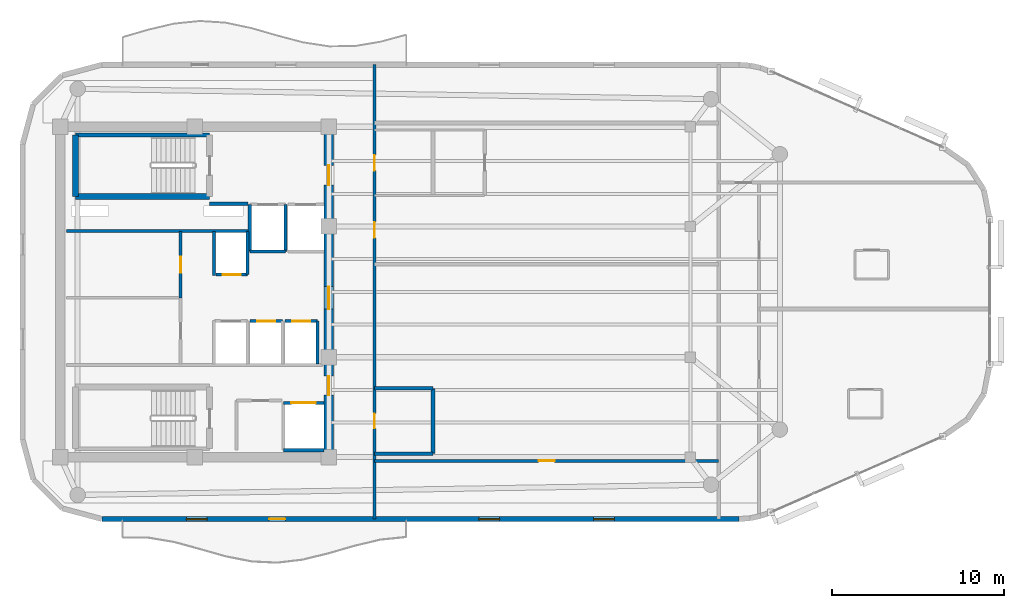
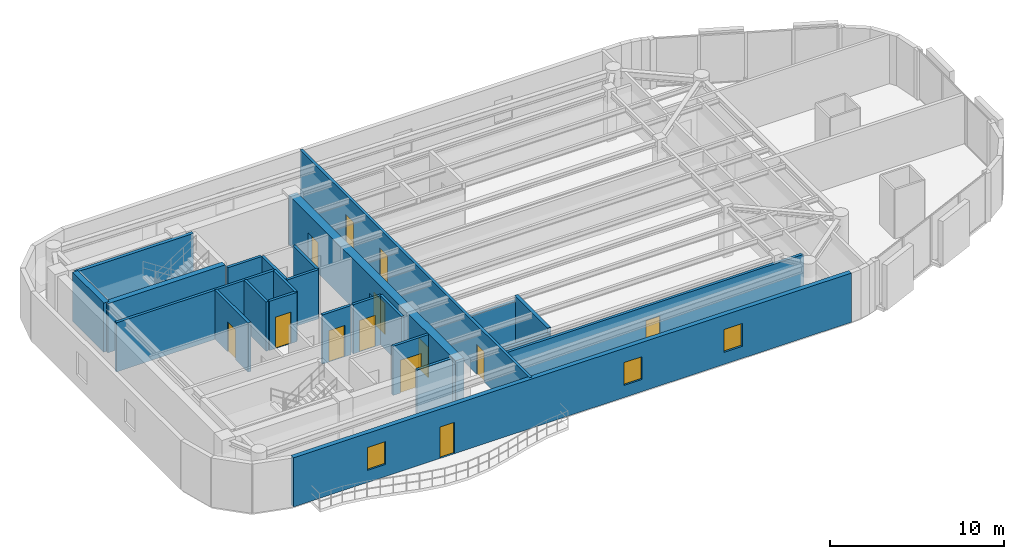
# One storey, part 8 of 12: 24 walls, 13 doors, 3 windows, 16 openings.
"""IFC4 building model written with IfcOpenShell, lengths in metres."""

import ifcopenshell
import ifcopenshell.guid

model = None  # the IFC model being written
_history = None  # IfcOwnerHistory: only IFC2X3 demands one
_inside = {}  # id of a spatial element -> (the spatial element, [elements in it])
_under = {}  # id of a project, library or spatial element -> (it, [spatial elements below it])
_declared = {}  # id of a project -> (the project, [libraries it declares])
_typed = {}  # id of a type object -> (the type object, [elements of that type])
_made_of = {}  # id of a material, layer set ... -> (it, [elements and type objects made of it])


def new_model(schema):
    """Start an empty IFC model of exactly this schema.

    Asked for "IFC4X3", IfcOpenShell would pick the latest addendum, in which some entities
    have other attributes; the version numbers below select the first issue.
    IFC2X3 requires an IfcOwnerHistory on every rooted entity: one is made here for all.
    """
    global model, _history
    if schema == "IFC4X3":
        model = ifcopenshell.file(schema_version=(4, 3, 0, 0))
    else:
        model = ifcopenshell.file(schema=schema)
    _inside.clear()
    _under.clear()
    _declared.clear()
    _typed.clear()
    _made_of.clear()
    _history = None
    if model.schema == "IFC2X3":
        org = make("IfcOrganization", Name="unknown")
        user = make(
            "IfcPersonAndOrganization",
            ThePerson=make("IfcPerson", FamilyName="unknown"),
            TheOrganization=org,
        )
        app = make(
            "IfcApplication",
            ApplicationDeveloper=org,
            Version="unknown",
            ApplicationFullName="unknown",
            ApplicationIdentifier="unknown",
        )
        _history = make(
            "IfcOwnerHistory",
            OwningUser=user,
            OwningApplication=app,
            ChangeAction="ADDED",
            CreationDate=0,
        )
    return model


def make(cls, **values):
    """One entity of the class cls with the attributes given. An attribute that is None is left unset."""
    return model.create_entity(
        cls, **{name: value for name, value in values.items() if value is not None}
    )


def rooted(cls, **values):
    """An entity with a GlobalId (a new one), such as an element, a storey or a relation."""
    return make(cls, GlobalId=ifcopenshell.guid.new(), OwnerHistory=_history, **values)


def si_unit(unit_type, name, prefix=None):
    """IfcSIUnit, for example si_unit("LENGTHUNIT", "METRE", prefix="MILLI")."""
    return make("IfcSIUnit", UnitType=unit_type, Prefix=prefix, Name=name)


def assignment(units):
    """IfcUnitAssignment: the units of a project."""
    return None if units is None else make("IfcUnitAssignment", Units=units)


def point(xyz):
    """IfcCartesianPoint."""
    return None if xyz is None else make("IfcCartesianPoint", Coordinates=xyz)


def direction(xyz):
    """IfcDirection."""
    return None if xyz is None else make("IfcDirection", DirectionRatios=xyz)


def frame(location, z_axis=None, x_axis=None):
    """IfcAxis2Placement3D, a coordinate frame: its origin and axes. An axis left out is left unset."""
    return make(
        "IfcAxis2Placement3D",
        Location=point(location),
        Axis=direction(z_axis),
        RefDirection=direction(x_axis),
    )


def frame_2d(location, x_axis=None):
    """IfcAxis2Placement2D, a coordinate frame in the plane: its origin and x axis."""
    return make(
        "IfcAxis2Placement2D", Location=point(location), RefDirection=direction(x_axis)
    )


def origin():
    """The frame at (0, 0, 0) with its axes left unset."""
    return frame((0.0, 0.0, 0.0))


def place(relative_to, where):
    """IfcLocalPlacement: puts the frame where relative to a parent placement (None: the world)."""
    return make(
        "IfcLocalPlacement", PlacementRelTo=relative_to, RelativePlacement=where
    )


def context(
    kind, dimensions, precision=None, world=None, true_north=None, identifier=None
):
    """IfcGeometricRepresentationContext, for example the 3D "Model" context."""
    return make(
        "IfcGeometricRepresentationContext",
        ContextIdentifier=identifier,
        ContextType=kind,
        CoordinateSpaceDimension=dimensions,
        Precision=precision,
        WorldCoordinateSystem=world,
        TrueNorth=true_north,
    )


def subcontext(parent, identifier, kind, view, scale=None):
    """IfcGeometricRepresentationSubContext, for example "Body" below "Model"."""
    return make(
        "IfcGeometricRepresentationSubContext",
        ContextIdentifier=identifier,
        ContextType=kind,
        ParentContext=parent,
        TargetScale=scale,
        TargetView=view,
    )


def project(units=None, contexts=None):
    """IfcProject with its units and contexts."""
    return rooted(
        "IfcProject",
        Name="project",
        RepresentationContexts=contexts,
        UnitsInContext=assignment(units),
    )


def spatial(cls, under=None, at=None, **own):
    """A site, building, storey or space (cls), placed at a placement, below another one or the project."""
    s = rooted(cls, ObjectPlacement=at, **own)
    if under is not None:
        _under.setdefault(under.id(), (under, []))[1].append(s)
    return s


def profile(cls, at=None, kind="AREA", **sizes):
    """A parametric profile (cls). Its sizes go by their IFC names, for example OverallWidth=200.0."""
    return make(cls, ProfileType=kind, Position=at, **sizes)


def rectangle(**sizes):
    """IfcRectangleProfileDef."""
    return profile("IfcRectangleProfileDef", **sizes)


def extrude(swept, where, along, depth):
    """IfcExtrudedAreaSolid: the profile swept, set in the frame where, extruded along a direction by depth."""
    return make(
        "IfcExtrudedAreaSolid",
        SweptArea=swept,
        Position=where,
        ExtrudedDirection=direction(along),
        Depth=depth,
    )


def shape(context_of_items, identifier, shape_type, items):
    """IfcShapeRepresentation: the items that make up one representation, for example the "Body"."""
    return make(
        "IfcShapeRepresentation",
        ContextOfItems=context_of_items,
        RepresentationIdentifier=identifier,
        RepresentationType=shape_type,
        Items=items,
    )


def material(Name=None, Category=None):
    """IfcMaterial."""
    return make("IfcMaterial", Name=Name, Category=Category)


def layer(
    of_material, thickness, ventilated=None, Name=None, Category=None, Priority=None
):
    """IfcMaterialLayer: one layer of a wall or slab, of a material (None: an air gap)."""
    return make(
        "IfcMaterialLayer",
        Material=of_material,
        LayerThickness=thickness,
        IsVentilated=ventilated,
        Name=Name,
        Category=Category,
        Priority=Priority,
    )


def layer_set(layers, Name=None):
    """IfcMaterialLayerSet."""
    return make("IfcMaterialLayerSet", MaterialLayers=layers, LayerSetName=Name)


def made_of(thing, what):
    """Note that an element or type object is made of a material, layer set ...; save() writes the relation."""
    if what is not None:
        _made_of.setdefault(what.id(), (what, []))[1].append(thing)
    return thing


def type_object(cls, material=None, **own):
    """A type object (cls), such as IfcWallType, which elements share."""
    return made_of(rooted(cls, **own), material)


def element(
    cls,
    number,
    at=None,
    inside=None,
    cuts=None,
    type_object=None,
    material=None,
    context=None,
    identifier="Body",
    shape_type=None,
    held_by="IfcProductDefinitionShape",
    body=None,
    shapes=None,
    **own,
):
    """One element of the class cls, such as IfcWall. Its Tag is "e" and its number.

    at: its placement. inside: the storey or other place that contains it. cuts: it is an
    opening in that element (IfcRelVoidsElement). A single representation is given by context,
    identifier, shape_type and body (its items); several are given by shapes. held_by: the class
    of the entity that holds the representations. save() writes the other relations.
    """
    e = rooted(cls, Tag="e%d" % number, ObjectPlacement=at, **own)
    if body is not None:
        shapes = [shape(context, identifier, shape_type, body)]
    if shapes is not None:
        e.Representation = make(held_by, Representations=shapes)
    if inside is not None:
        _inside.setdefault(inside.id(), (inside, []))[1].append(e)
    if cuts is not None:
        rooted(
            "IfcRelVoidsElement", RelatingBuildingElement=cuts, RelatedOpeningElement=e
        )
    if type_object is not None:
        _typed.setdefault(type_object.id(), (type_object, []))[1].append(e)
    return made_of(e, material)


def fill(opening, filler):
    """IfcRelFillsElement: the door or window that sits in an opening."""
    return rooted(
        "IfcRelFillsElement",
        RelatingOpeningElement=opening,
        RelatedBuildingElement=filler,
    )


def aggregate(whole, parts):
    """IfcRelAggregates: a whole, such as a stair, and the parts it consists of."""
    return rooted("IfcRelAggregates", RelatingObject=whole, RelatedObjects=parts)


def save(model, path):
    """Write the relations noted so far, then the file.

    IfcRelAggregates (storeys below a building ...), IfcRelContainedInSpatialStructure (elements
    in a storey), IfcRelDefinesByType, IfcRelAssociatesMaterial and IfcRelDeclares: one each for
    every whole, place, type object, material and project.
    """
    for whole, parts in _under.values():
        aggregate(whole, parts)
    for where, things in _inside.values():
        rooted(
            "IfcRelContainedInSpatialStructure",
            RelatedElements=things,
            RelatingStructure=where,
        )
    for kind, things in _typed.values():
        rooted("IfcRelDefinesByType", RelatedObjects=things, RelatingType=kind)
    for what, things in _made_of.values():
        rooted("IfcRelAssociatesMaterial", RelatedObjects=things, RelatingMaterial=what)
    for by, libraries in _declared.values():
        rooted("IfcRelDeclares", RelatingContext=by, RelatedDefinitions=libraries)
    model.write(path)


model = new_model("IFC4")

# Units and contexts
model_context = context("Model", 3, precision=1e-05, world=origin(), true_north=direction((0.0, 1.0)))
body_context = subcontext(model_context, "Body", "Model", "MODEL_VIEW")
ifc_project = project(units=[si_unit("LENGTHUNIT", "METRE"), si_unit("AREAUNIT", "SQUARE_METRE"), si_unit("VOLUMEUNIT", "CUBIC_METRE"), si_unit("PLANEANGLEUNIT", "RADIAN"), si_unit("MASSUNIT", "GRAM", prefix="KILO")], contexts=[model_context])

# Site, building, storey
site_placement = place(None, origin())
site = spatial("IfcSite", under=ifc_project, at=site_placement, CompositionType="ELEMENT")
building_placement = place(site_placement, origin())
building = spatial("IfcBuilding", under=site, at=building_placement, Name="An Khanh Terracotta Commons", CompositionType="ELEMENT")
storey_placement = place(building_placement, frame((0.0, 0.0, 258.800048828125)))
storey = spatial("IfcBuildingStorey", under=building, at=storey_placement, Name="L67", CompositionType="ELEMENT", Elevation=258.800048828125)

# Wall, openings, doors
ifc_material_1 = material(Name="Concrete C50/60", Category="concrete")
ifc_layer_1 = layer(ifc_material_1, 0.550048828125, Name="Concrete C50/60")
ifc_layer_set_1 = layer_set([ifc_layer_1], Name="Concrete C50/60")
wall_type_1 = type_object("IfcWallType", Name="WALL-CORE-550", PredefinedType="SHEAR", material=ifc_layer_set_1)
wall_1_placement = place(storey_placement, frame((37.199951171875, 14.39990234375, 0.0), z_axis=(0.0, 0.0, 1.0), x_axis=(0.0, 1.0, 0.0)))
wall_1 = element("IfcWall", 1, at=wall_1_placement, inside=storey, type_object=wall_type_1, Name="L67 Core Wall CWALL-L67-E", PredefinedType="SHEAR", context=body_context, shape_type="SweptSolid", body=[
    extrude(rectangle(XDim=19.2001953125, YDim=0.550048828125, at=frame_2d((9.60009765625, 0.0))), origin(), (0.0, 0.0, 1.0), 3.449951171875),
])
opening_1_placement = place(wall_1_placement, frame((15.800048828125, 0.0, 0.0)))
opening_1 = element("IfcOpeningElement", 2, at=opening_1_placement, cuts=wall_1, Name="Opening D-FFL", PredefinedType="OPENING", context=body_context, shape_type="SweptSolid", body=[
    extrude(rectangle(XDim=1.14990234375, YDim=2.14990234375, at=frame_2d((0.574951171875, 1.074951171875))), frame((0.0, 0.284912109375, 0.0), z_axis=(0.0, -1.0, 0.0), x_axis=(1.0, 0.0, 0.0)), (0.0, 0.0, 1.0), 0.570068359375),
])
opening_2_placement = place(wall_1_placement, frame((3.60009765625, 0.0, 0.0)))
opening_2 = element("IfcOpeningElement", 3, at=opening_2_placement, cuts=wall_1, Name="Opening D-ST", PredefinedType="OPENING", context=body_context, shape_type="SweptSolid", body=[
    extrude(rectangle(XDim=1.10009765625, YDim=2.14990234375, at=frame_2d((0.550048828125, 1.074951171875))), frame((0.0, 0.284912109375, 0.0), z_axis=(0.0, -1.0, 0.0), x_axis=(1.0, 0.0, 0.0)), (0.0, 0.0, 1.0), 0.570068359375),
])
opening_3_placement = place(wall_1_placement, frame((8.60009765625, 0.0, 0.0)))
opening_3 = element("IfcOpeningElement", 4, at=opening_3_placement, cuts=wall_1, Name="Opening D-COR", PredefinedType="OPENING", context=body_context, shape_type="SweptSolid", body=[
    extrude(rectangle(XDim=1.300048828125, YDim=2.199951171875, at=frame_2d((0.64990234375, 1.10009765625))), frame((0.0, 0.284912109375, 0.0), z_axis=(0.0, -1.0, 0.0), x_axis=(1.0, 0.0, 0.0)), (0.0, 0.0, 1.0), 0.570068359375),
])
ifc_material_2 = material(Name="Fire-Rated Glazed Steel Double Door", Category="steel")
door_type_1 = type_object("IfcDoorType", Name="DOOR-CORR-1300", OperationType="NOTDEFINED", PredefinedType="DOOR", material=ifc_material_2)
door_1_placement = place(opening_3_placement, origin())
door_1 = element("IfcDoor", 5, at=door_1_placement, inside=storey, type_object=door_type_1, Name="L67 Passenger Lift Lobby Double Door", OperationType="DOUBLE_DOOR_SINGLE_SWING", OverallHeight=2.199951171875, OverallWidth=1.300048828125, PredefinedType="DOOR", context=body_context, shape_type="SweptSolid", body=[
    extrude(rectangle(XDim=1.300048828125, YDim=2.199951171875, at=frame_2d((0.64990234375, 1.10009765625))), frame((0.0, 0.02490234375, 0.0), z_axis=(0.0, -1.0, 0.0), x_axis=(1.0, 0.0, 0.0)), (0.0, 0.0, 1.0), 0.050048828125),
])
fill(opening_3, door_1)
ifc_material_3 = material(Name="Fire-Rated Steel Leaf and Vision Panel", Category="steel")
door_type_2 = type_object("IfcDoorType", Name="DOOR-FFL-1150", OperationType="NOTDEFINED", PredefinedType="DOOR", material=ifc_material_3)
door_2_placement = place(opening_1_placement, origin())
door_2 = element("IfcDoor", 6, at=door_2_placement, inside=storey, type_object=door_type_2, Name="L67 Firefighting Lift Lobby Fire Door", OperationType="SINGLE_SWING_RIGHT", OverallHeight=2.14990234375, OverallWidth=1.14990234375, PredefinedType="DOOR", context=body_context, shape_type="SweptSolid", body=[
    extrude(rectangle(XDim=1.14990234375, YDim=2.14990234375, at=frame_2d((0.574951171875, 1.074951171875))), frame((0.0, 0.02490234375, 0.0), z_axis=(0.0, -1.0, 0.0), x_axis=(1.0, 0.0, 0.0)), (0.0, 0.0, 1.0), 0.050048828125),
])
fill(opening_1, door_2)
ifc_material_4 = material(Name="Fire-Rated Steel Leaf and Frame", Category="steel")
door_type_3 = type_object("IfcDoorType", Name="DOOR-STAIR-1100", OperationType="NOTDEFINED", PredefinedType="DOOR", material=ifc_material_4)
door_3_placement = place(opening_2_placement, origin())
door_3 = element("IfcDoor", 7, at=door_3_placement, inside=storey, type_object=door_type_3, Name="L67 South Stair Lobby Fire Door", OperationType="SINGLE_SWING_LEFT", OverallHeight=2.14990234375, OverallWidth=1.10009765625, PredefinedType="DOOR", context=body_context, shape_type="SweptSolid", body=[
    extrude(rectangle(XDim=1.10009765625, YDim=2.14990234375, at=frame_2d((0.550048828125, 1.074951171875))), frame((0.0, 0.02490234375, 0.0), z_axis=(0.0, -1.0, 0.0), x_axis=(1.0, 0.0, 0.0)), (0.0, 0.0, 1.0), 0.050048828125),
])
fill(opening_2, door_3)

# Walls
ifc_material_5 = material(Name="Fire-Rated Gypsum Board on Steel Stud", Category="steel")
ifc_layer_2 = layer(ifc_material_5, 0.179931640625, Name="Fire-Rated Gypsum Board on Steel Stud")
ifc_layer_set_2 = layer_set([ifc_layer_2], Name="Fire-Rated Gypsum Board on Steel Stud")
wall_type_2 = type_object("IfcWallType", Name="WALL-CORR-180", PredefinedType="PARTITIONING", material=ifc_layer_set_2)
wall_2_placement = place(storey_placement, frame((30.27001953125, 29.1201171875, 0.0), z_axis=(0.0, 0.0, 1.0), x_axis=(1.0, 0.0, 0.0)))
element("IfcWall", 8, at=wall_2_placement, inside=storey, type_object=wall_type_2, Name="L67 Core Wall FFLW-L67-S", PredefinedType="PARTITIONING", context=body_context, shape_type="SweptSolid", body=[
    extrude(rectangle(XDim=2.239990234375, YDim=0.179931640625, at=frame_2d((1.1201171875, 0.0))), origin(), (0.0, 0.0, 1.0), 3.449951171875),
])
wall_3_placement = place(storey_placement, frame((21.949951171875, 27.5400390625, 0.0), z_axis=(0.0, 0.0, 1.0), x_axis=(1.0, 0.0, 0.0)))
element("IfcWall", 9, at=wall_3_placement, inside=storey, type_object=wall_type_2, Name="L67 Core Wall RSRW-L67-S", PredefinedType="PARTITIONING", context=body_context, shape_type="SweptSolid", body=[
    extrude(rectangle(XDim=10.56005859375, YDim=0.179931640625, at=frame_2d((5.280029296875, 0.0))), origin(), (0.0, 0.0, 1.0), 3.449951171875),
])
wall_4_placement = place(storey_placement, frame((34.679931640625, 26.35009765625, 0.0), z_axis=(0.0, 0.0, 1.0), x_axis=(-1.0, 0.0, 0.0)))
element("IfcWall", 10, at=wall_4_placement, inside=storey, type_object=wall_type_2, Name="L67 Core Wall LSH-L67-FFL-01-S", PredefinedType="PARTITIONING", context=body_context, shape_type="SweptSolid", body=[
    extrude(rectangle(XDim=2.079833984375, YDim=0.179931640625, at=frame_2d((1.0400390625, 0.0))), origin(), (0.0, 0.0, 1.0), 3.449951171875),
])
for number, where, z_axis, x_axis, name in (
    (11, (34.679931640625, 26.35009765625, 0.0), (0.0, 0.0, 1.0), (0.0, 1.0, 0.0), "L67 Core Wall LSH-L67-FFL-01-E"),
    (12, (32.60009765625, 29.080078125, 0.0), (0.0, 0.0, 1.0), (0.0, -1.0, 0.0), "L67 Core Wall LSH-L67-FFL-01-W"),
):
    element("IfcWall", number, at=place(storey_placement, frame(where, z_axis=z_axis, x_axis=x_axis)), inside=storey, type_object=wall_type_2, Name=name, PredefinedType="PARTITIONING", context=body_context, shape_type="SweptSolid", body=[
        extrude(rectangle(XDim=2.72998046875, YDim=0.179931640625, at=frame_2d((1.364990234375, 0.0))), origin(), (0.0, 0.0, 1.0), 3.449951171875),
    ])

# Wall, opening, door
wall_5_placement = place(storey_placement, frame((34.550048828125, 17.550048828125, 0.0), z_axis=(0.0, 0.0, 1.0), x_axis=(1.0, 0.0, 0.0)))
wall_5 = element("IfcWall", 13, at=wall_5_placement, inside=storey, type_object=wall_type_2, Name="L67 Core Wall LSH-L67-SVL-01-N", PredefinedType="PARTITIONING", context=body_context, shape_type="SweptSolid", body=[
    extrude(rectangle(XDim=2.349853515625, YDim=0.179931640625, at=frame_2d((1.1748046875, 0.0))), origin(), (0.0, 0.0, 1.0), 3.449951171875),
])
opening_4_placement = place(wall_5_placement, frame((0.47509765625, 0.0, 0.0)))
opening_4 = element("IfcOpeningElement", 14, at=opening_4_placement, cuts=wall_5, Name="Opening LD-SVL-01-L67", PredefinedType="OPENING", context=body_context, shape_type="SweptSolid", body=[
    extrude(rectangle(XDim=1.39990234375, YDim=2.300048828125, at=frame_2d((0.699951171875, 1.14990234375))), frame((0.0, 0.099853515625, 0.0), z_axis=(0.0, -1.0, 0.0), x_axis=(1.0, 0.0, 0.0)), (0.0, 0.0, 1.0), 0.199951171875),
])
ifc_material_6 = material(Name="Heavy-Duty Stainless Steel Goods Landing Door", Category="steel")
door_type_4 = type_object("IfcDoorType", Name="DOOR-LD-SVL-1400", OperationType="NOTDEFINED", PredefinedType="DOOR", material=ifc_material_6)
door_4_placement = place(opening_4_placement, origin())
door_4 = element("IfcDoor", 15, at=door_4_placement, inside=storey, type_object=door_type_4, Name="L67 Lift SVL-01 Sliding Landing Door", OperationType="DOUBLE_DOOR_SLIDING", OverallHeight=2.300048828125, OverallWidth=1.39990234375, PredefinedType="DOOR", context=body_context, shape_type="SweptSolid", body=[
    extrude(rectangle(XDim=1.39990234375, YDim=2.300048828125, at=frame_2d((0.699951171875, 1.14990234375))), frame((0.0, 0.02490234375, 0.0), z_axis=(0.0, -1.0, 0.0), x_axis=(1.0, 0.0, 0.0)), (0.0, 0.0, 1.0), 0.050048828125),
])
fill(opening_4, door_4)

# Wall
wall_6_placement = place(storey_placement, frame((36.89990234375, 14.800048828125, 0.0), z_axis=(0.0, 0.0, 1.0), x_axis=(-1.0, 0.0, 0.0)))
element("IfcWall", 16, at=wall_6_placement, inside=storey, type_object=wall_type_2, Name="L67 Core Wall LSH-L67-SVL-01-S", PredefinedType="PARTITIONING", context=body_context, shape_type="SweptSolid", body=[
    extrude(rectangle(XDim=2.349853515625, YDim=0.179931640625, at=frame_2d((1.1748046875, 0.0))), origin(), (0.0, 0.0, 1.0), 3.449951171875),
])

# Wall, opening, door
wall_7_placement = place(storey_placement, frame((32.4599609375, 25.0, 0.0), z_axis=(0.0, 0.0, 1.0), x_axis=(-1.0, 0.0, 0.0)))
wall_7 = element("IfcWall", 17, at=wall_7_placement, inside=storey, type_object=wall_type_2, Name="L67 Core Wall LSH-L67-PL-H1-S", PredefinedType="PARTITIONING", context=body_context, shape_type="SweptSolid", body=[
    extrude(rectangle(XDim=1.820068359375, YDim=0.179931640625, at=frame_2d((0.91015625, 0.0))), origin(), (0.0, 0.0, 1.0), 3.449951171875),
])
opening_5_placement = place(wall_7_placement, frame((0.385009765625, 0.0, 0.0)))
opening_5 = element("IfcOpeningElement", 18, at=opening_5_placement, cuts=wall_7, Name="Opening LD-PL-H1-L67", PredefinedType="OPENING", context=body_context, shape_type="SweptSolid", body=[
    extrude(rectangle(XDim=1.050048828125, YDim=2.199951171875, at=frame_2d((0.52490234375, 1.10009765625))), frame((0.0, 0.099853515625, 0.0), z_axis=(0.0, -1.0, 0.0), x_axis=(1.0, 0.0, 0.0)), (0.0, 0.0, 1.0), 0.199951171875),
])
ifc_material_7 = material(Name="Brushed Stainless Steel High-Rise Landing Door", Category="steel")
door_type_5 = type_object("IfcDoorType", Name="DOOR-LD-PAXH-1050", OperationType="NOTDEFINED", PredefinedType="DOOR", material=ifc_material_7)
door_5_placement = place(opening_5_placement, origin())
door_5 = element("IfcDoor", 19, at=door_5_placement, inside=storey, type_object=door_type_5, Name="L67 Lift PL-H1 Sliding Landing Door", OperationType="DOUBLE_DOOR_SLIDING", OverallHeight=2.199951171875, OverallWidth=1.050048828125, PredefinedType="DOOR", context=body_context, shape_type="SweptSolid", body=[
    extrude(rectangle(XDim=1.050048828125, YDim=2.199951171875, at=frame_2d((0.52490234375, 1.10009765625))), frame((0.0, 0.02490234375, 0.0), z_axis=(0.0, -1.0, 0.0), x_axis=(1.0, 0.0, 0.0)), (0.0, 0.0, 1.0), 0.050048828125),
])
fill(opening_5, door_5)

# Wall
wall_8_placement = place(storey_placement, frame((32.4599609375, 25.0, 0.0), z_axis=(0.0, 0.0, 1.0), x_axis=(0.0, 1.0, 0.0)))
element("IfcWall", 20, at=wall_8_placement, inside=storey, type_object=wall_type_2, Name="L67 Core Wall LSH-L67-PL-H1-E", PredefinedType="PARTITIONING", context=body_context, shape_type="SweptSolid", body=[
    extrude(rectangle(XDim=2.5, YDim=0.179931640625, at=frame_2d((1.25, 0.0))), origin(), (0.0, 0.0, 1.0), 3.449951171875),
])

# Wall, opening, door
wall_9_placement = place(storey_placement, frame((32.60009765625, 22.300048828125, 0.0), z_axis=(0.0, 0.0, 1.0), x_axis=(1.0, 0.0, 0.0)))
wall_9 = element("IfcWall", 21, at=wall_9_placement, inside=storey, type_object=wall_type_2, Name="L67 Core Wall LSH-L67-PL-H3-N", PredefinedType="PARTITIONING", context=body_context, shape_type="SweptSolid", body=[
    extrude(rectangle(XDim=1.89990234375, YDim=0.179931640625, at=frame_2d((0.949951171875, 0.0))), origin(), (0.0, 0.0, 1.0), 3.449951171875),
])
opening_6_placement = place(wall_9_placement, frame((0.425048828125, 0.0, 0.0)))
opening_6 = element("IfcOpeningElement", 22, at=opening_6_placement, cuts=wall_9, Name="Opening LD-PL-H3-L67", PredefinedType="OPENING", context=body_context, shape_type="SweptSolid", body=[
    extrude(rectangle(XDim=1.050048828125, YDim=2.199951171875, at=frame_2d((0.52490234375, 1.10009765625))), frame((0.0, 0.099853515625, 0.0), z_axis=(0.0, -1.0, 0.0), x_axis=(1.0, 0.0, 0.0)), (0.0, 0.0, 1.0), 0.199951171875),
])
door_6_placement = place(opening_6_placement, origin())
door_6 = element("IfcDoor", 23, at=door_6_placement, inside=storey, type_object=door_type_5, Name="L67 Lift PL-H3 Sliding Landing Door", OperationType="DOUBLE_DOOR_SLIDING", OverallHeight=2.199951171875, OverallWidth=1.050048828125, PredefinedType="DOOR", context=body_context, shape_type="SweptSolid", body=[
    extrude(rectangle(XDim=1.050048828125, YDim=2.199951171875, at=frame_2d((0.52490234375, 1.10009765625))), frame((0.0, 0.02490234375, 0.0), z_axis=(0.0, -1.0, 0.0), x_axis=(1.0, 0.0, 0.0)), (0.0, 0.0, 1.0), 0.050048828125),
])
fill(opening_6, door_6)

wall_10_placement = place(storey_placement, frame((34.639892578125, 22.300048828125, 0.0), z_axis=(0.0, 0.0, 1.0), x_axis=(1.0, 0.0, 0.0)))
wall_10 = element("IfcWall", 24, at=wall_10_placement, inside=storey, type_object=wall_type_2, Name="L67 Core Wall LSH-L67-PL-H4-N", PredefinedType="PARTITIONING", context=body_context, shape_type="SweptSolid", body=[
    extrude(rectangle(XDim=1.900146484375, YDim=0.179931640625, at=frame_2d((0.9501953125, 0.0))), origin(), (0.0, 0.0, 1.0), 3.449951171875),
])
opening_7_placement = place(wall_10_placement, frame((0.425048828125, 0.0, 0.0)))
opening_7 = element("IfcOpeningElement", 25, at=opening_7_placement, cuts=wall_10, Name="Opening LD-PL-H4-L67", PredefinedType="OPENING", context=body_context, shape_type="SweptSolid", body=[
    extrude(rectangle(XDim=1.050048828125, YDim=2.199951171875, at=frame_2d((0.52490234375, 1.10009765625))), frame((0.0, 0.099853515625, 0.0), z_axis=(0.0, -1.0, 0.0), x_axis=(1.0, 0.0, 0.0)), (0.0, 0.0, 1.0), 0.199951171875),
])
door_7_placement = place(opening_7_placement, origin())
door_7 = element("IfcDoor", 26, at=door_7_placement, inside=storey, type_object=door_type_5, Name="L67 Lift PL-H4 Sliding Landing Door", OperationType="DOUBLE_DOOR_SLIDING", OverallHeight=2.199951171875, OverallWidth=1.050048828125, PredefinedType="DOOR", context=body_context, shape_type="SweptSolid", body=[
    extrude(rectangle(XDim=1.050048828125, YDim=2.199951171875, at=frame_2d((0.52490234375, 1.10009765625))), frame((0.0, 0.02490234375, 0.0), z_axis=(0.0, -1.0, 0.0), x_axis=(1.0, 0.0, 0.0)), (0.0, 0.0, 1.0), 0.050048828125),
])
fill(opening_7, door_7)

# Walls
wall_11_placement = place(storey_placement, frame((36.5400390625, 19.800048828125, 0.0), z_axis=(0.0, 0.0, 1.0), x_axis=(0.0, 1.0, 0.0)))
element("IfcWall", 27, at=wall_11_placement, inside=storey, type_object=wall_type_2, Name="L67 Core Wall LSH-L67-PL-H4-E", PredefinedType="PARTITIONING", context=body_context, shape_type="SweptSolid", body=[
    extrude(rectangle(XDim=2.5, YDim=0.179931640625, at=frame_2d((1.25, 0.0))), origin(), (0.0, 0.0, 1.0), 3.449951171875),
])
wall_12_placement = place(storey_placement, frame((30.52001953125, 24.949951171875, 0.0), z_axis=(0.0, 0.0, 1.0), x_axis=(0.0, 1.0, 0.0)))
element("IfcWall", 28, at=wall_12_placement, inside=storey, type_object=wall_type_2, Name="L67 Core Wall RECW-L67-BE1", PredefinedType="PARTITIONING", context=body_context, shape_type="SweptSolid", body=[
    extrude(rectangle(XDim=2.550048828125, YDim=0.179931640625, at=frame_2d((1.27490234375, 0.0))), origin(), (0.0, 0.0, 1.0), 3.449951171875),
])

# Wall, opening, door
wall_13_placement = place(storey_placement, frame((28.580078125, 23.64990234375, 0.0), z_axis=(0.0, 0.0, 1.0), x_axis=(0.0, 1.0, 0.0)))
wall_13 = element("IfcWall", 29, at=wall_13_placement, inside=storey, type_object=wall_type_2, Name="L67 Core Wall RECW-L67-E1", PredefinedType="PARTITIONING", context=body_context, shape_type="SweptSolid", body=[
    extrude(rectangle(XDim=3.85009765625, YDim=0.179931640625, at=frame_2d((1.925048828125, 0.0))), origin(), (0.0, 0.0, 1.0), 3.449951171875),
])
opening_8_placement = place(wall_13_placement, frame((1.465087890625, 0.0, 0.0)))
opening_8 = element("IfcOpeningElement", 30, at=opening_8_placement, cuts=wall_13, Name="Opening D-RM", PredefinedType="OPENING", context=body_context, shape_type="SweptSolid", body=[
    extrude(rectangle(XDim=0.919921875, YDim=2.10009765625, at=frame_2d((0.4599609375, 1.050048828125))), frame((0.0, 0.099853515625, 0.0), z_axis=(0.0, -1.0, 0.0), x_axis=(1.0, 0.0, 0.0)), (0.0, 0.0, 1.0), 0.199951171875),
])
ifc_material_8 = material(Name="Engineered Hardwood Timber Leaf", Category="wood")
door_type_6 = type_object("IfcDoorType", Name="DOOR-INT-920", OperationType="NOTDEFINED", PredefinedType="DOOR", material=ifc_material_8)
door_8_placement = place(opening_8_placement, origin())
door_8 = element("IfcDoor", 31, at=door_8_placement, inside=storey, type_object=door_type_6, Name="L67 Communal Laundry Room Door", OperationType="SINGLE_SWING_LEFT", OverallHeight=2.10009765625, OverallWidth=0.919921875, PredefinedType="DOOR", context=body_context, shape_type="SweptSolid", body=[
    extrude(rectangle(XDim=0.919921875, YDim=2.10009765625, at=frame_2d((0.4599609375, 1.050048828125))), frame((0.0, 0.02490234375, 0.0), z_axis=(0.0, -1.0, 0.0), x_axis=(1.0, 0.0, 0.0)), (0.0, 0.0, 1.0), 0.050048828125),
])
fill(opening_8, door_8)

wall_14_placement = place(storey_placement, frame((39.85009765625, 14.179931640625, 0.0), z_axis=(0.0, 0.0, 1.0), x_axis=(1.0, 0.0, 0.0)))
wall_14 = element("IfcWall", 32, at=wall_14_placement, inside=storey, type_object=wall_type_2, Name="L67 Interior Partition IW-L67-E001", PredefinedType="PARTITIONING", context=body_context, shape_type="SweptSolid", body=[
    extrude(rectangle(XDim=20.0, YDim=0.179931640625, at=frame_2d((10.0, 0.0))), origin(), (0.0, 0.0, 1.0), 3.092041015625),
])
opening_9_placement = place(wall_14_placement, frame((9.5400390625, 0.0, 0.0)))
opening_9 = element("IfcOpeningElement", 33, at=opening_9_placement, cuts=wall_14, Name="Opening D-RM", PredefinedType="OPENING", context=body_context, shape_type="SweptSolid", body=[
    extrude(rectangle(XDim=0.919921875, YDim=2.10009765625, at=frame_2d((0.4599609375, 1.050048828125))), frame((0.0, 0.099853515625, 0.0), z_axis=(0.0, -1.0, 0.0), x_axis=(1.0, 0.0, 0.0)), (0.0, 0.0, 1.0), 0.199951171875),
])
door_9_placement = place(opening_9_placement, origin())
door_9 = element("IfcDoor", 34, at=door_9_placement, inside=storey, type_object=door_type_6, Name="L67 WSP1 Riverfront Reading Hall Door", OperationType="SINGLE_SWING_LEFT", OverallHeight=2.10009765625, OverallWidth=0.919921875, PredefinedType="DOOR", context=body_context, shape_type="SweptSolid", body=[
    extrude(rectangle(XDim=0.919921875, YDim=2.10009765625, at=frame_2d((0.4599609375, 1.050048828125))), frame((0.0, 0.02490234375, 0.0), z_axis=(0.0, -1.0, 0.0), x_axis=(1.0, 0.0, 0.0)), (0.0, 0.0, 1.0), 0.050048828125),
])
fill(opening_9, door_9)

# Wall, openings, doors
wall_15_placement = place(storey_placement, frame((39.85009765625, 10.800048828125, 0.0), z_axis=(0.0, 0.0, 1.0), x_axis=(0.0, 1.0, 0.0)))
wall_15 = element("IfcWall", 35, at=wall_15_placement, inside=storey, type_object=wall_type_2, Name="L67 Interior Partition IW-L67-E010", PredefinedType="PARTITIONING", context=body_context, shape_type="SweptSolid", body=[
    extrude(rectangle(XDim=26.39990234375, YDim=0.179931640625, at=frame_2d((13.199951171875, 0.0))), origin(), (0.0, 0.0, 1.0), 3.449951171875),
])
opening_10_placement = place(wall_15_placement, frame((20.25, 0.0, 0.0)))
opening_10 = element("IfcOpeningElement", 36, at=opening_10_placement, cuts=wall_15, Name="Opening D-WC", PredefinedType="OPENING", context=body_context, shape_type="SweptSolid", body=[
    extrude(rectangle(XDim=0.89990234375, YDim=2.10009765625, at=frame_2d((0.449951171875, 1.050048828125))), frame((0.0, 0.099853515625, 0.0), z_axis=(0.0, -1.0, 0.0), x_axis=(1.0, 0.0, 0.0)), (0.0, 0.0, 1.0), 0.199951171875),
])
opening_11_placement = place(wall_15_placement, frame((5.27001953125, 0.0, 0.0)))
opening_11 = element("IfcOpeningElement", 37, at=opening_11_placement, cuts=wall_15, Name="Opening D-ENS", PredefinedType="OPENING", context=body_context, shape_type="SweptSolid", body=[
    extrude(rectangle(XDim=0.860107421875, YDim=2.10009765625, at=frame_2d((0.43017578125, 1.050048828125))), frame((0.0, 0.099853515625, 0.0), z_axis=(0.0, -1.0, 0.0), x_axis=(1.0, 0.0, 0.0)), (0.0, 0.0, 1.0), 0.199951171875),
])
opening_12_placement = place(wall_15_placement, frame((16.340087890625, 0.0, 0.0)))
opening_12 = element("IfcOpeningElement", 38, at=opening_12_placement, cuts=wall_15, Name="Opening D-RM", PredefinedType="OPENING", context=body_context, shape_type="SweptSolid", body=[
    extrude(rectangle(XDim=0.919921875, YDim=2.10009765625, at=frame_2d((0.4599609375, 1.050048828125))), frame((0.0, 0.099853515625, 0.0), z_axis=(0.0, -1.0, 0.0), x_axis=(1.0, 0.0, 0.0)), (0.0, 0.0, 1.0), 0.199951171875),
])
ifc_material_9 = material(Name="Moisture-Resistant Hardwood Timber Leaf", Category="wood")
door_type_7 = type_object("IfcDoorType", Name="DOOR-BATH-860", OperationType="NOTDEFINED", PredefinedType="DOOR", material=ifc_material_9)
door_10_placement = place(opening_11_placement, origin())
door_10 = element("IfcDoor", 39, at=door_10_placement, inside=storey, type_object=door_type_7, Name="L67 SHW Resident Shared Shower and Washroom Door", OperationType="SINGLE_SWING_RIGHT", OverallHeight=2.10009765625, OverallWidth=0.860107421875, PredefinedType="DOOR", context=body_context, shape_type="SweptSolid", body=[
    extrude(rectangle(XDim=0.860107421875, YDim=2.10009765625, at=frame_2d((0.43017578125, 1.050048828125))), frame((0.0, 0.02490234375, 0.0), z_axis=(0.0, -1.0, 0.0), x_axis=(1.0, 0.0, 0.0)), (0.0, 0.0, 1.0), 0.050048828125),
])
fill(opening_11, door_10)
door_11_placement = place(opening_12_placement, origin())
door_11 = element("IfcDoor", 40, at=door_11_placement, inside=storey, type_object=door_type_6, Name="L67 WSP2 Academic Seminar Room Door", OperationType="SINGLE_SWING_RIGHT", OverallHeight=2.10009765625, OverallWidth=0.919921875, PredefinedType="DOOR", context=body_context, shape_type="SweptSolid", body=[
    extrude(rectangle(XDim=0.919921875, YDim=2.10009765625, at=frame_2d((0.4599609375, 1.050048828125))), frame((0.0, 0.02490234375, 0.0), z_axis=(0.0, -1.0, 0.0), x_axis=(1.0, 0.0, 0.0)), (0.0, 0.0, 1.0), 0.050048828125),
])
fill(opening_12, door_11)
ifc_material_10 = material(Name="Laminate Moisture-Resistant Timber Leaf", Category="wood")
door_type_8 = type_object("IfcDoorType", Name="DOOR-WC-900", OperationType="NOTDEFINED", PredefinedType="DOOR", material=ifc_material_10)
door_12_placement = place(opening_10_placement, origin())
door_12 = element("IfcDoor", 41, at=door_12_placement, inside=storey, type_object=door_type_8, Name="L67 AWC Accessible WC Door", OperationType="SINGLE_SWING_LEFT", OverallHeight=2.10009765625, OverallWidth=0.89990234375, PredefinedType="DOOR", context=body_context, shape_type="SweptSolid", body=[
    extrude(rectangle(XDim=0.89990234375, YDim=2.10009765625, at=frame_2d((0.449951171875, 1.050048828125))), frame((0.0, 0.02490234375, 0.0), z_axis=(0.0, -1.0, 0.0), x_axis=(1.0, 0.0, 0.0)), (0.0, 0.0, 1.0), 0.050048828125),
])
fill(opening_10, door_12)

# Wall, openings, door, windows
ifc_material_11 = material(Name="Precast concrete C40/50", Category="concrete")
ifc_layer_3 = layer(ifc_material_11, 0.300048828125, Name="Precast concrete C40/50")
ifc_layer_set_3 = layer_set([ifc_layer_3], Name="Precast concrete C40/50")
wall_type_3 = type_object("IfcWallType", Name="WALL-EXT-300", PredefinedType="SOLIDWALL", material=ifc_layer_set_3)
wall_16_placement = place(storey_placement, frame((24.0, 10.800048828125, 0.0), z_axis=(0.0, 0.0, 1.0), x_axis=(1.0, 0.0, 0.0)))
wall_16 = element("IfcWall", 42, at=wall_16_placement, inside=storey, type_object=wall_type_3, Name="L67 Insulated Terracotta Exterior Wall 4", PredefinedType="SOLIDWALL", context=body_context, shape_type="SweptSolid", body=[
    extrude(rectangle(XDim=37.030029296875, YDim=0.300048828125, at=frame_2d((18.51513671875, 0.0))), origin(), (0.0, 0.0, 1.0), 3.449951171875),
])
opening_13_placement = place(wall_16_placement, frame((9.72509765625, 0.0, 0.0)))
opening_13 = element("IfcOpeningElement", 43, at=opening_13_placement, cuts=wall_16, Name="Opening D-BAL", PredefinedType="OPENING", context=body_context, shape_type="SweptSolid", body=[
    extrude(rectangle(XDim=0.949951171875, YDim=2.199951171875, at=frame_2d((0.47509765625, 1.10009765625))), frame((0.0, 0.159912109375, 0.0), z_axis=(0.0, -1.0, 0.0), x_axis=(1.0, 0.0, 0.0)), (0.0, 0.0, 1.0), 0.320068359375),
])
opening_14_placement = place(wall_16_placement, frame((4.9169921875, 0.0, 0.85009765625)))
opening_14 = element("IfcOpeningElement", 44, at=opening_14_placement, cuts=wall_16, Name="Opening W-05", PredefinedType="OPENING", context=body_context, shape_type="SweptSolid", body=[
    extrude(rectangle(XDim=1.199951171875, YDim=1.60009765625, at=frame_2d((0.60009765625, 0.800048828125))), frame((0.0, 0.159912109375, 0.0), z_axis=(0.0, -1.0, 0.0), x_axis=(1.0, 0.0, 0.0)), (0.0, 0.0, 1.0), 0.320068359375),
])
opening_15_placement = place(wall_16_placement, frame((21.9169921875, 0.0, 0.85009765625)))
opening_15 = element("IfcOpeningElement", 45, at=opening_15_placement, cuts=wall_16, Name="Opening W-05", PredefinedType="OPENING", context=body_context, shape_type="SweptSolid", body=[
    extrude(rectangle(XDim=1.199951171875, YDim=1.60009765625, at=frame_2d((0.60009765625, 0.800048828125))), frame((0.0, 0.159912109375, 0.0), z_axis=(0.0, -1.0, 0.0), x_axis=(1.0, 0.0, 0.0)), (0.0, 0.0, 1.0), 0.320068359375),
])
opening_16_placement = place(wall_16_placement, frame((28.5830078125, 0.0, 0.85009765625)))
opening_16 = element("IfcOpeningElement", 46, at=opening_16_placement, cuts=wall_16, Name="Opening W-05", PredefinedType="OPENING", context=body_context, shape_type="SweptSolid", body=[
    extrude(rectangle(XDim=1.199951171875, YDim=1.60009765625, at=frame_2d((0.60009765625, 0.800048828125))), frame((0.0, 0.159912109375, 0.0), z_axis=(0.0, -1.0, 0.0), x_axis=(1.0, 0.0, 0.0)), (0.0, 0.0, 1.0), 0.320068359375),
])
ifc_material_12 = material(Name="Thermally Broken Aluminium and Low-E Glass", Category="aluminium")
door_type_9 = type_object("IfcDoorType", Name="DOOR-BALC-950", OperationType="NOTDEFINED", PredefinedType="DOOR", material=ifc_material_12)
door_13_placement = place(opening_13_placement, origin())
door_13 = element("IfcDoor", 47, at=door_13_placement, inside=storey, type_object=door_type_9, Name="L67 S Wave Balcony Glazed Door", OperationType="SINGLE_SWING_LEFT", OverallHeight=2.199951171875, OverallWidth=0.949951171875, PredefinedType="DOOR", context=body_context, shape_type="SweptSolid", body=[
    extrude(rectangle(XDim=0.949951171875, YDim=2.199951171875, at=frame_2d((0.47509765625, 1.10009765625))), frame((0.0, 0.02490234375, 0.0), z_axis=(0.0, -1.0, 0.0), x_axis=(1.0, 0.0, 0.0)), (0.0, 0.0, 1.0), 0.050048828125),
])
fill(opening_13, door_13)
window_type = type_object("IfcWindowType", Name="WIN-Z5-1200x1600", PartitioningType="SINGLE_PANEL", PredefinedType="WINDOW", material=ifc_material_12)
window_1_placement = place(opening_14_placement, origin())
window_1 = element("IfcWindow", 48, at=window_1_placement, inside=storey, type_object=window_type, Name="L67 Operable Casement Window 4.1", OverallHeight=1.60009765625, OverallWidth=1.199951171875, PartitioningType="SINGLE_PANEL", PredefinedType="WINDOW", context=body_context, shape_type="SweptSolid", body=[
    extrude(rectangle(XDim=1.199951171875, YDim=1.60009765625, at=frame_2d((0.60009765625, 0.800048828125))), frame((0.0, 0.030029296875, 0.0), z_axis=(0.0, -1.0, 0.0), x_axis=(1.0, 0.0, 0.0)), (0.0, 0.0, 1.0), 0.06005859375),
])
fill(opening_14, window_1)
window_2_placement = place(opening_15_placement, origin())
window_2 = element("IfcWindow", 49, at=window_2_placement, inside=storey, type_object=window_type, Name="L67 Operable Casement Window 4.2", OverallHeight=1.60009765625, OverallWidth=1.199951171875, PartitioningType="SINGLE_PANEL", PredefinedType="WINDOW", context=body_context, shape_type="SweptSolid", body=[
    extrude(rectangle(XDim=1.199951171875, YDim=1.60009765625, at=frame_2d((0.60009765625, 0.800048828125))), frame((0.0, 0.030029296875, 0.0), z_axis=(0.0, -1.0, 0.0), x_axis=(1.0, 0.0, 0.0)), (0.0, 0.0, 1.0), 0.06005859375),
])
fill(opening_15, window_2)
window_3_placement = place(opening_16_placement, origin())
window_3 = element("IfcWindow", 50, at=window_3_placement, inside=storey, type_object=window_type, Name="L67 Operable Casement Window 4.3", OverallHeight=1.60009765625, OverallWidth=1.199951171875, PartitioningType="SINGLE_PANEL", PredefinedType="WINDOW", context=body_context, shape_type="SweptSolid", body=[
    extrude(rectangle(XDim=1.199951171875, YDim=1.60009765625, at=frame_2d((0.60009765625, 0.800048828125))), frame((0.0, 0.030029296875, 0.0), z_axis=(0.0, -1.0, 0.0), x_axis=(1.0, 0.0, 0.0)), (0.0, 0.0, 1.0), 0.06005859375),
])
fill(opening_16, window_3)

# Walls
ifc_material_13 = material(Name="Acoustic Double-Stud Gypsum and Mineral Wool")
ifc_layer_4 = layer(ifc_material_13, 0.219970703125, Name="Acoustic Double-Stud Gypsum and Mineral Wool")
ifc_layer_set_4 = layer_set([ifc_layer_4], Name="Acoustic Double-Stud Gypsum and Mineral Wool")
wall_type_4 = type_object("IfcWallType", Name="WALL-PARTY-220", PredefinedType="PARTITIONING", material=ifc_layer_set_4)
wall_17_placement = place(storey_placement, frame((22.47998046875, 33.110107421875, 0.0), z_axis=(0.0, 0.0, 1.0), x_axis=(1.0, 0.0, 0.0)))
element("IfcWall", 51, at=wall_17_placement, inside=storey, type_object=wall_type_4, Name="L67 Core Wall STW-L67-N-N", PredefinedType="PARTITIONING", context=body_context, shape_type="SweptSolid", body=[
    extrude(rectangle(XDim=7.7900390625, YDim=0.219970703125, at=frame_2d((3.89501953125, 0.0))), origin(), (0.0, 0.0, 1.0), 3.449951171875),
])
wall_18_placement = place(storey_placement, frame((39.85009765625, 14.60009765625, 0.0), z_axis=(0.0, 0.0, 1.0), x_axis=(1.0, 0.0, 0.0)))
element("IfcWall", 52, at=wall_18_placement, inside=storey, type_object=wall_type_4, Name="L67 Interior Partition IW-L67-E002", PredefinedType="PARTITIONING", context=body_context, shape_type="SweptSolid", body=[
    extrude(rectangle(XDim=3.39990234375, YDim=0.219970703125, at=frame_2d((1.699951171875, 0.0))), origin(), (0.0, 0.0, 1.0), 3.092041015625),
])
wall_19_placement = place(storey_placement, frame((39.85009765625, 18.39990234375, 0.0), z_axis=(0.0, 0.0, 1.0), x_axis=(1.0, 0.0, 0.0)))
element("IfcWall", 53, at=wall_19_placement, inside=storey, type_object=wall_type_4, Name="L67 Interior Partition IW-L67-E003", PredefinedType="PARTITIONING", context=body_context, shape_type="SweptSolid", body=[
    extrude(rectangle(XDim=3.39990234375, YDim=0.219970703125, at=frame_2d((1.699951171875, 0.0))), origin(), (0.0, 0.0, 1.0), 3.072021484375),
])
wall_20_placement = place(storey_placement, frame((43.25, 14.60009765625, 0.0), z_axis=(0.0, 0.0, 1.0), x_axis=(0.0, 1.0, 0.0)))
element("IfcWall", 54, at=wall_20_placement, inside=storey, type_object=wall_type_4, Name="L67 Interior Partition IW-L67-E011", PredefinedType="PARTITIONING", context=body_context, shape_type="SweptSolid", body=[
    extrude(rectangle(XDim=3.7998046875, YDim=0.219970703125, at=frame_2d((1.89990234375, 0.0))), origin(), (0.0, 0.0, 1.0), 3.449951171875),
])
ifc_layer_5 = layer(ifc_material_1, 0.35009765625, Name="Concrete C50/60")
ifc_layer_set_5 = layer_set([ifc_layer_5], Name="Concrete C50/60")
wall_type_5 = type_object("IfcWallType", Name="WALL-SHAFT-350", PredefinedType="SOLIDWALL", material=ifc_layer_set_5)
wall_21_placement = place(storey_placement, frame((22.47998046875, 29.530029296875, 0.0), z_axis=(0.0, 0.0, 1.0), x_axis=(1.0, 0.0, 0.0)))
element("IfcWall", 55, at=wall_21_placement, inside=storey, type_object=wall_type_5, Name="L67 Core Wall STW-L67-N-S", PredefinedType="SOLIDWALL", context=body_context, shape_type="SweptSolid", body=[
    extrude(rectangle(XDim=7.7900390625, YDim=0.35009765625, at=frame_2d((3.89501953125, 0.0))), origin(), (0.0, 0.0, 1.0), 3.449951171875),
])
wall_22_placement = place(storey_placement, frame((22.47998046875, 29.530029296875, 0.0), z_axis=(0.0, 0.0, 1.0), x_axis=(0.0, 1.0, 0.0)))
element("IfcWall", 56, at=wall_22_placement, inside=storey, type_object=wall_type_5, Name="L67 Core Wall STW-L67-N-W", PredefinedType="SOLIDWALL", context=body_context, shape_type="SweptSolid", body=[
    extrude(rectangle(XDim=3.580078125, YDim=0.35009765625, at=frame_2d((1.7900390625, 0.0))), origin(), (0.0, 0.0, 1.0), 3.449951171875),
])

save(model, "model.ifc")
